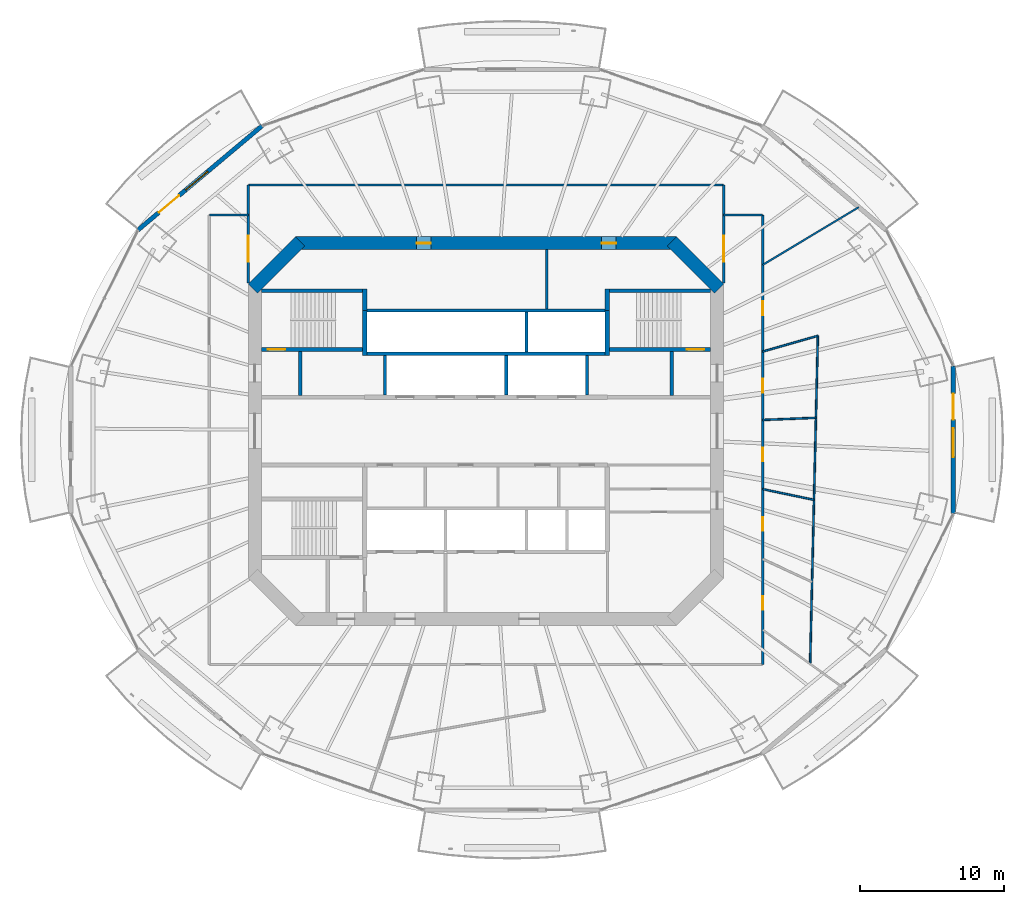
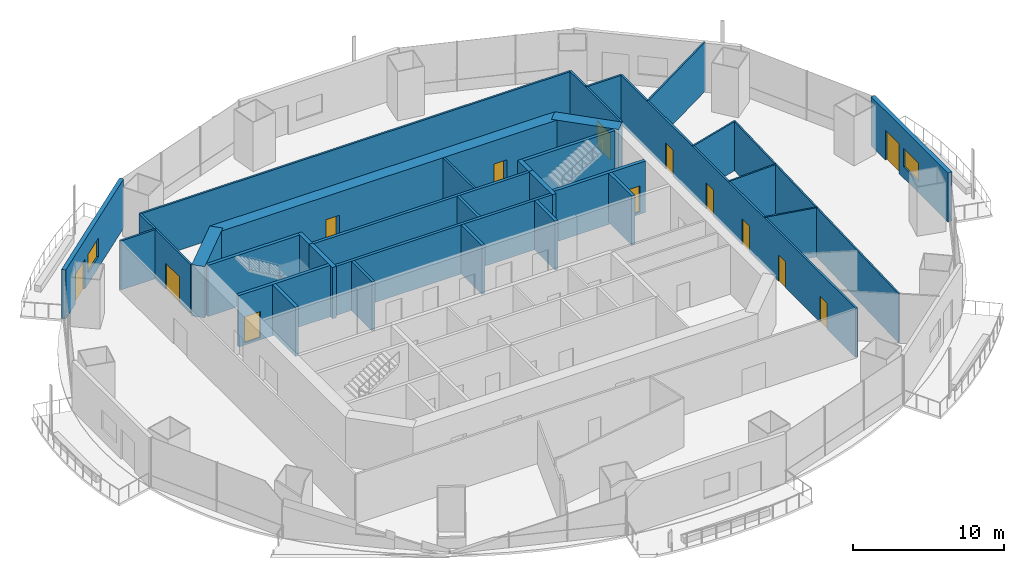
# One storey, part 13 of 20: 33 walls, 13 doors, 2 windows, 15 openings.
"""IFC4 building model written with IfcOpenShell, lengths in metres."""

import ifcopenshell
import ifcopenshell.guid

model = None  # the IFC model being written
_history = None  # IfcOwnerHistory: only IFC2X3 demands one
_inside = {}  # id of a spatial element -> (the spatial element, [elements in it])
_under = {}  # id of a project, library or spatial element -> (it, [spatial elements below it])
_declared = {}  # id of a project -> (the project, [libraries it declares])
_typed = {}  # id of a type object -> (the type object, [elements of that type])
_made_of = {}  # id of a material, layer set ... -> (it, [elements and type objects made of it])


def new_model(schema):
    """Start an empty IFC model of exactly this schema.

    Asked for "IFC4X3", IfcOpenShell would pick the latest addendum, in which some entities
    have other attributes; the version numbers below select the first issue.
    IFC2X3 requires an IfcOwnerHistory on every rooted entity: one is made here for all.
    """
    global model, _history
    if schema == "IFC4X3":
        model = ifcopenshell.file(schema_version=(4, 3, 0, 0))
    else:
        model = ifcopenshell.file(schema=schema)
    _inside.clear()
    _under.clear()
    _declared.clear()
    _typed.clear()
    _made_of.clear()
    _history = None
    if model.schema == "IFC2X3":
        org = make("IfcOrganization", Name="unknown")
        user = make(
            "IfcPersonAndOrganization",
            ThePerson=make("IfcPerson", FamilyName="unknown"),
            TheOrganization=org,
        )
        app = make(
            "IfcApplication",
            ApplicationDeveloper=org,
            Version="unknown",
            ApplicationFullName="unknown",
            ApplicationIdentifier="unknown",
        )
        _history = make(
            "IfcOwnerHistory",
            OwningUser=user,
            OwningApplication=app,
            ChangeAction="ADDED",
            CreationDate=0,
        )
    return model


def make(cls, **values):
    """One entity of the class cls with the attributes given. An attribute that is None is left unset."""
    return model.create_entity(
        cls, **{name: value for name, value in values.items() if value is not None}
    )


def rooted(cls, **values):
    """An entity with a GlobalId (a new one), such as an element, a storey or a relation."""
    return make(cls, GlobalId=ifcopenshell.guid.new(), OwnerHistory=_history, **values)


def si_unit(unit_type, name, prefix=None):
    """IfcSIUnit, for example si_unit("LENGTHUNIT", "METRE", prefix="MILLI")."""
    return make("IfcSIUnit", UnitType=unit_type, Prefix=prefix, Name=name)


def assignment(units):
    """IfcUnitAssignment: the units of a project."""
    return None if units is None else make("IfcUnitAssignment", Units=units)


def point(xyz):
    """IfcCartesianPoint."""
    return None if xyz is None else make("IfcCartesianPoint", Coordinates=xyz)


def direction(xyz):
    """IfcDirection."""
    return None if xyz is None else make("IfcDirection", DirectionRatios=xyz)


def frame(location, z_axis=None, x_axis=None):
    """IfcAxis2Placement3D, a coordinate frame: its origin and axes. An axis left out is left unset."""
    return make(
        "IfcAxis2Placement3D",
        Location=point(location),
        Axis=direction(z_axis),
        RefDirection=direction(x_axis),
    )


def frame_2d(location, x_axis=None):
    """IfcAxis2Placement2D, a coordinate frame in the plane: its origin and x axis."""
    return make(
        "IfcAxis2Placement2D", Location=point(location), RefDirection=direction(x_axis)
    )


def origin():
    """The frame at (0, 0, 0) with its axes left unset."""
    return frame((0.0, 0.0, 0.0))


def place(relative_to, where):
    """IfcLocalPlacement: puts the frame where relative to a parent placement (None: the world)."""
    return make(
        "IfcLocalPlacement", PlacementRelTo=relative_to, RelativePlacement=where
    )


def context(
    kind, dimensions, precision=None, world=None, true_north=None, identifier=None
):
    """IfcGeometricRepresentationContext, for example the 3D "Model" context."""
    return make(
        "IfcGeometricRepresentationContext",
        ContextIdentifier=identifier,
        ContextType=kind,
        CoordinateSpaceDimension=dimensions,
        Precision=precision,
        WorldCoordinateSystem=world,
        TrueNorth=true_north,
    )


def subcontext(parent, identifier, kind, view, scale=None):
    """IfcGeometricRepresentationSubContext, for example "Body" below "Model"."""
    return make(
        "IfcGeometricRepresentationSubContext",
        ContextIdentifier=identifier,
        ContextType=kind,
        ParentContext=parent,
        TargetScale=scale,
        TargetView=view,
    )


def project(units=None, contexts=None):
    """IfcProject with its units and contexts."""
    return rooted(
        "IfcProject",
        Name="project",
        RepresentationContexts=contexts,
        UnitsInContext=assignment(units),
    )


def spatial(cls, under=None, at=None, **own):
    """A site, building, storey or space (cls), placed at a placement, below another one or the project."""
    s = rooted(cls, ObjectPlacement=at, **own)
    if under is not None:
        _under.setdefault(under.id(), (under, []))[1].append(s)
    return s


def profile(cls, at=None, kind="AREA", **sizes):
    """A parametric profile (cls). Its sizes go by their IFC names, for example OverallWidth=200.0."""
    return make(cls, ProfileType=kind, Position=at, **sizes)


def rectangle(**sizes):
    """IfcRectangleProfileDef."""
    return profile("IfcRectangleProfileDef", **sizes)


def extrude(swept, where, along, depth):
    """IfcExtrudedAreaSolid: the profile swept, set in the frame where, extruded along a direction by depth."""
    return make(
        "IfcExtrudedAreaSolid",
        SweptArea=swept,
        Position=where,
        ExtrudedDirection=direction(along),
        Depth=depth,
    )


def shape(context_of_items, identifier, shape_type, items):
    """IfcShapeRepresentation: the items that make up one representation, for example the "Body"."""
    return make(
        "IfcShapeRepresentation",
        ContextOfItems=context_of_items,
        RepresentationIdentifier=identifier,
        RepresentationType=shape_type,
        Items=items,
    )


def material(Name=None, Category=None):
    """IfcMaterial."""
    return make("IfcMaterial", Name=Name, Category=Category)


def layer(
    of_material, thickness, ventilated=None, Name=None, Category=None, Priority=None
):
    """IfcMaterialLayer: one layer of a wall or slab, of a material (None: an air gap)."""
    return make(
        "IfcMaterialLayer",
        Material=of_material,
        LayerThickness=thickness,
        IsVentilated=ventilated,
        Name=Name,
        Category=Category,
        Priority=Priority,
    )


def layer_set(layers, Name=None):
    """IfcMaterialLayerSet."""
    return make("IfcMaterialLayerSet", MaterialLayers=layers, LayerSetName=Name)


def made_of(thing, what):
    """Note that an element or type object is made of a material, layer set ...; save() writes the relation."""
    if what is not None:
        _made_of.setdefault(what.id(), (what, []))[1].append(thing)
    return thing


def type_object(cls, material=None, **own):
    """A type object (cls), such as IfcWallType, which elements share."""
    return made_of(rooted(cls, **own), material)


def element(
    cls,
    number,
    at=None,
    inside=None,
    cuts=None,
    type_object=None,
    material=None,
    context=None,
    identifier="Body",
    shape_type=None,
    held_by="IfcProductDefinitionShape",
    body=None,
    shapes=None,
    **own,
):
    """One element of the class cls, such as IfcWall. Its Tag is "e" and its number.

    at: its placement. inside: the storey or other place that contains it. cuts: it is an
    opening in that element (IfcRelVoidsElement). A single representation is given by context,
    identifier, shape_type and body (its items); several are given by shapes. held_by: the class
    of the entity that holds the representations. save() writes the other relations.
    """
    e = rooted(cls, Tag="e%d" % number, ObjectPlacement=at, **own)
    if body is not None:
        shapes = [shape(context, identifier, shape_type, body)]
    if shapes is not None:
        e.Representation = make(held_by, Representations=shapes)
    if inside is not None:
        _inside.setdefault(inside.id(), (inside, []))[1].append(e)
    if cuts is not None:
        rooted(
            "IfcRelVoidsElement", RelatingBuildingElement=cuts, RelatedOpeningElement=e
        )
    if type_object is not None:
        _typed.setdefault(type_object.id(), (type_object, []))[1].append(e)
    return made_of(e, material)


def fill(opening, filler):
    """IfcRelFillsElement: the door or window that sits in an opening."""
    return rooted(
        "IfcRelFillsElement",
        RelatingOpeningElement=opening,
        RelatedBuildingElement=filler,
    )


def aggregate(whole, parts):
    """IfcRelAggregates: a whole, such as a stair, and the parts it consists of."""
    return rooted("IfcRelAggregates", RelatingObject=whole, RelatedObjects=parts)


def save(model, path):
    """Write the relations noted so far, then the file.

    IfcRelAggregates (storeys below a building ...), IfcRelContainedInSpatialStructure (elements
    in a storey), IfcRelDefinesByType, IfcRelAssociatesMaterial and IfcRelDeclares: one each for
    every whole, place, type object, material and project.
    """
    for whole, parts in _under.values():
        aggregate(whole, parts)
    for where, things in _inside.values():
        rooted(
            "IfcRelContainedInSpatialStructure",
            RelatedElements=things,
            RelatingStructure=where,
        )
    for kind, things in _typed.values():
        rooted("IfcRelDefinesByType", RelatedObjects=things, RelatingType=kind)
    for what, things in _made_of.values():
        rooted("IfcRelAssociatesMaterial", RelatedObjects=things, RelatingMaterial=what)
    for by, libraries in _declared.values():
        rooted("IfcRelDeclares", RelatingContext=by, RelatedDefinitions=libraries)
    model.write(path)


model = new_model("IFC4")

# Units and contexts
model_context = context("Model", 3, precision=1e-05, world=origin(), true_north=direction((0.0, 1.0)))
body_context = subcontext(model_context, "Body", "Model", "MODEL_VIEW")
ifc_project = project(units=[si_unit("LENGTHUNIT", "METRE"), si_unit("AREAUNIT", "SQUARE_METRE"), si_unit("VOLUMEUNIT", "CUBIC_METRE"), si_unit("PLANEANGLEUNIT", "RADIAN"), si_unit("MASSUNIT", "GRAM", prefix="KILO")], contexts=[model_context])

# Site, building, storey
site_placement = place(None, origin())
site = spatial("IfcSite", under=ifc_project, at=site_placement, CompositionType="ELEMENT")
building_placement = place(site_placement, origin())
building = spatial("IfcBuilding", under=site, at=building_placement, Name="Marenthal Gate Tower", CompositionType="ELEMENT")
storey_placement = place(building_placement, frame((0.0, 0.0, 219.14990234375)))
storey = spatial("IfcBuildingStorey", under=building, at=storey_placement, Name="L48", CompositionType="ELEMENT", Elevation=219.14990234375)

# Wall
ifc_material_1 = material(Name="Concrete 60 MPa", Category="concrete")
ifc_layer_1 = layer(ifc_material_1, 0.89990234375)
ifc_layer_set_1 = layer_set([ifc_layer_1], Name="Core shear wall 900")
wall_type_1 = type_object("IfcWallType", Name="Core shear wall 900", PredefinedType="SHEAR", material=ifc_layer_set_1)
wall_1_placement = place(storey_placement, frame((16.1318359375, 9.8681640625, -0.179931640625), z_axis=(0.0, 0.0, 1.0), x_axis=(-0.707106781187, 0.707106781187, 0.0)))
element("IfcWall", 1, at=wall_1_placement, inside=storey, type_object=wall_type_1, Name="Core wall 03", PredefinedType="SHEAR", context=body_context, shape_type="SweptSolid", body=[
    extrude(rectangle(XDim=4.615478515625, YDim=0.89990234375, at=frame_2d((2.3076171875, 0.0))), origin(), (0.0, 0.0, 1.0), 4.150146484375),
])

# Wall, openings, doors
wall_2_placement = place(storey_placement, frame((13.186279296875, 13.0, -0.179931640625), z_axis=(0.0, 0.0, 1.0), x_axis=(-1.0, 0.0, 0.0)))
wall_2 = element("IfcWall", 2, at=wall_2_placement, inside=storey, type_object=wall_type_1, Name="Core wall 04", PredefinedType="SHEAR", context=body_context, shape_type="SweptSolid", body=[
    extrude(rectangle(XDim=26.37255859375, YDim=0.89990234375, at=frame_2d((13.186279296875, 0.0))), origin(), (0.0, 0.0, 1.0), 4.150146484375),
])
opening_1_placement = place(wall_2_placement, frame((16.993408203125, 0.0, 0.179931640625)))
opening_1 = element("IfcOpeningElement", 3, at=opening_1_placement, cuts=wall_2, Name="Opening D005.05", PredefinedType="OPENING", context=body_context, shape_type="SweptSolid", body=[
    extrude(rectangle(XDim=1.0, YDim=2.10009765625, at=frame_2d((0.5, 1.050048828125))), frame((0.0, 0.4599609375, 0.0), z_axis=(0.0, -1.0, 0.0), x_axis=(1.0, 0.0, 0.0)), (0.0, 0.0, 1.0), 0.919921875),
])
opening_2_placement = place(wall_2_placement, frame((4.179443359375, 0.0, 0.179931640625)))
opening_2 = element("IfcOpeningElement", 4, at=opening_2_placement, cuts=wall_2, Name="Opening D005.06", PredefinedType="OPENING", context=body_context, shape_type="SweptSolid", body=[
    extrude(rectangle(XDim=1.0, YDim=2.10009765625, at=frame_2d((0.5, 1.050048828125))), frame((0.0, 0.4599609375, 0.0), z_axis=(0.0, -1.0, 0.0), x_axis=(1.0, 0.0, 0.0)), (0.0, 0.0, 1.0), 0.919921875),
])
ifc_material_2 = material(Name="Steel fire door", Category="steel")
door_type_1 = type_object("IfcDoorType", Name="Fire door FD 45 1000 x 2100", OperationType="NOTDEFINED", PredefinedType="DOOR", material=ifc_material_2)
door_1_placement = place(opening_1_placement, origin())
door_1 = element("IfcDoor", 5, at=door_1_placement, inside=storey, type_object=door_type_1, Name="Door D005.05", OperationType="SINGLE_SWING_RIGHT", OverallHeight=2.10009765625, OverallWidth=1.0, PredefinedType="DOOR", context=body_context, shape_type="SweptSolid", body=[
    extrude(rectangle(XDim=1.0, YDim=2.10009765625, at=frame_2d((0.5, 1.050048828125))), frame((0.0, 0.02490234375, 0.0), z_axis=(0.0, -1.0, 0.0), x_axis=(1.0, 0.0, 0.0)), (0.0, 0.0, 1.0), 0.050048828125),
])
fill(opening_1, door_1)
door_2_placement = place(opening_2_placement, origin())
door_2 = element("IfcDoor", 6, at=door_2_placement, inside=storey, type_object=door_type_1, Name="Door D005.06", OperationType="SINGLE_SWING_RIGHT", OverallHeight=2.10009765625, OverallWidth=1.0, PredefinedType="DOOR", context=body_context, shape_type="SweptSolid", body=[
    extrude(rectangle(XDim=1.0, YDim=2.10009765625, at=frame_2d((0.5, 1.050048828125))), frame((0.0, 0.02490234375, 0.0), z_axis=(0.0, -1.0, 0.0), x_axis=(1.0, 0.0, 0.0)), (0.0, 0.0, 1.0), 0.050048828125),
])
fill(opening_2, door_2)

# Walls
wall_3_placement = place(storey_placement, frame((-12.8681640625, 13.1318359375, -0.179931640625), z_axis=(0.0, 0.0, 1.0), x_axis=(-0.707106781187, -0.707106781187, 0.0)))
element("IfcWall", 7, at=wall_3_placement, inside=storey, type_object=wall_type_1, Name="Core wall 05", PredefinedType="SHEAR", context=body_context, shape_type="SweptSolid", body=[
    extrude(rectangle(XDim=4.615478515625, YDim=0.89990234375, at=frame_2d((2.3076171875, 0.0))), origin(), (0.0, 0.0, 1.0), 4.150146484375),
])
ifc_material_3 = material(Name="Concrete 50 MPa", Category="concrete")
ifc_layer_2 = layer(ifc_material_3, 0.300048828125)
ifc_layer_set_2 = layer_set([ifc_layer_2], Name="Hoistway shear wall 300")
wall_type_2 = type_object("IfcWallType", Name="Hoistway shear wall 300", PredefinedType="SHEAR", material=ifc_layer_set_2)
for number, where, z_axis, x_axis, name in (
    (8, (-8.39990234375, 5.239990234375, -0.179931640625), (0.0, 0.0, 1.0), (0.0, 1.0, 0.0), "Hoistway wall 32"),
    (9, (8.39990234375, 5.239990234375, -0.179931640625), (0.0, 0.0, 1.0), (0.0, 1.0, 0.0), "Hoistway wall 48"),
):
    element("IfcWall", number, at=place(storey_placement, frame(where, z_axis=z_axis, x_axis=x_axis)), inside=storey, type_object=wall_type_2, Name=name, PredefinedType="SHEAR", context=body_context, shape_type="SweptSolid", body=[
        extrude(rectangle(XDim=3.110107421875, YDim=0.300048828125, at=frame_2d((1.55517578125, 0.0))), origin(), (0.0, 0.0, 1.0), 4.150146484375),
    ])
ifc_material_4 = material(Name="Concrete 40 MPa", Category="concrete")
ifc_layer_3 = layer(ifc_material_4, 0.219970703125)
ifc_layer_set_3 = layer_set([ifc_layer_3], Name="Hoistway wall 220")
wall_type_3 = type_object("IfcWallType", Name="Hoistway wall 220", PredefinedType="STANDARD", material=ifc_layer_set_3)
for number, where, z_axis, x_axis, name in (
    (10, (-8.25, 5.35009765625, 0.0), (0.0, 0.0, 1.0), (1.0, 0.0, 0.0), "Hoistway wall 22"),
    (11, (-8.25, 8.35009765625, 0.0), (0.0, 0.0, 1.0), (1.0, 0.0, 0.0), "Hoistway wall 25"),
):
    element("IfcWall", number, at=place(storey_placement, frame(where, z_axis=z_axis, x_axis=x_axis)), inside=storey, type_object=wall_type_3, Name=name, PredefinedType="STANDARD", context=body_context, shape_type="SweptSolid", body=[
        extrude(rectangle(XDim=16.5, YDim=0.219970703125, at=frame_2d((8.25, 0.0))), origin(), (0.0, 0.0, 1.0), 3.97021484375),
    ])
for number, where, z_axis, x_axis, name in (
    (12, (-7.0, 2.5, 0.0), (0.0, 0.0, 1.0), (0.0, 1.0, 0.0), "Hoistway wall 34"),
    (13, (1.39990234375, 2.5, 0.0), (0.0, 0.0, 1.0), (0.0, 1.0, 0.0), "Hoistway wall 39"),
):
    element("IfcWall", number, at=place(storey_placement, frame(where, z_axis=z_axis, x_axis=x_axis)), inside=storey, type_object=wall_type_3, Name=name, PredefinedType="STANDARD", context=body_context, shape_type="SweptSolid", body=[
        extrude(rectangle(XDim=2.739990234375, YDim=0.219970703125, at=frame_2d((1.3701171875, 0.0))), origin(), (0.0, 0.0, 1.0), 3.97021484375),
    ])
wall_4_placement = place(storey_placement, frame((2.800048828125, 5.4599609375, 0.0), z_axis=(0.0, 0.0, 1.0), x_axis=(0.0, 1.0, 0.0)))
element("IfcWall", 14, at=wall_4_placement, inside=storey, type_object=wall_type_3, Name="Hoistway wall 41", PredefinedType="STANDARD", context=body_context, shape_type="SweptSolid", body=[
    extrude(rectangle(XDim=2.780029296875, YDim=0.219970703125, at=frame_2d((1.39013671875, 0.0))), origin(), (0.0, 0.0, 1.0), 3.97021484375),
])
wall_5_placement = place(storey_placement, frame((7.0, 2.5, 0.0), z_axis=(0.0, 0.0, 1.0), x_axis=(0.0, 1.0, 0.0)))
element("IfcWall", 15, at=wall_5_placement, inside=storey, type_object=wall_type_3, Name="Hoistway wall 45", PredefinedType="STANDARD", context=body_context, shape_type="SweptSolid", body=[
    extrude(rectangle(XDim=2.739990234375, YDim=0.219970703125, at=frame_2d((1.3701171875, 0.0))), origin(), (0.0, 0.0, 1.0), 3.97021484375),
])
ifc_material_5 = material(Name="Gypsum board on steel studs", Category="steel")
ifc_layer_4 = layer(ifc_material_5, 0.1201171875)
ifc_layer_set_4 = layer_set([ifc_layer_4], Name="Partition 120")
wall_type_4 = type_object("IfcWallType", Name="Partition 120", PredefinedType="PARTITIONING", material=ifc_layer_set_4)
wall_6_placement = place(storey_placement, frame((19.14990234375, 11.501220703125, 0.0), z_axis=(0.0, 0.0, 1.0), x_axis=(0.857259644741, 0.514884357404, 0.0)))
element("IfcWall", 16, at=wall_6_placement, inside=storey, type_object=wall_type_4, Name="Partition wall 62", PredefinedType="PARTITIONING", context=body_context, shape_type="SweptSolid", body=[
    extrude(rectangle(XDim=7.759765625, YDim=0.1201171875, at=frame_2d((3.8798828125, 0.0))), origin(), (0.0, 0.0, 1.0), 3.97021484375),
])
wall_7_placement = place(storey_placement, frame((22.431884765625, -16.11669921875, 0.0), z_axis=(0.0, 0.0, 1.0), x_axis=(0.023619180301, 0.999721028248, 0.0)))
element("IfcWall", 17, at=wall_7_placement, inside=storey, type_object=wall_type_4, Name="Partition wall 64", PredefinedType="PARTITIONING", context=body_context, shape_type="SweptSolid", body=[
    extrude(rectangle(XDim=22.7197265625, YDim=0.1201171875, at=frame_2d((11.35986328125, 0.0))), origin(), (0.0, 0.0, 1.0), 3.97021484375),
])
wall_8_placement = place(storey_placement, frame((22.7001953125, -4.760009765625, 0.0), z_axis=(0.0, 0.0, 1.0), x_axis=(-0.978705174883, 0.205270993219, 0.0)))
element("IfcWall", 18, at=wall_8_placement, inside=storey, type_object=wall_type_4, Name="Partition wall 66", PredefinedType="PARTITIONING", context=body_context, shape_type="SweptSolid", body=[
    extrude(rectangle(XDim=3.62744140625, YDim=0.1201171875, at=frame_2d((1.813720703125, 0.0))), origin(), (0.0, 0.0, 1.0), 3.97021484375),
])
wall_9_placement = place(storey_placement, frame((22.83447265625, 0.91845703125, 0.0), z_axis=(0.0, 0.0, 1.0), x_axis=(-0.999192156412, -0.040187492641, 0.0)))
element("IfcWall", 19, at=wall_9_placement, inside=storey, type_object=wall_type_4, Name="Partition wall 67", PredefinedType="PARTITIONING", context=body_context, shape_type="SweptSolid", body=[
    extrude(rectangle(XDim=3.6875, YDim=0.1201171875, at=frame_2d((1.84375, 0.0))), origin(), (0.0, 0.0, 1.0), 3.97021484375),
])
wall_10_placement = place(storey_placement, frame((22.968505859375, 6.5966796875, 0.0), z_axis=(0.0, 0.0, 1.0), x_axis=(-0.961147388984, -0.276035680028, 0.0)))
element("IfcWall", 20, at=wall_10_placement, inside=storey, type_object=wall_type_4, Name="Partition wall 68", PredefinedType="PARTITIONING", context=body_context, shape_type="SweptSolid", body=[
    extrude(rectangle(XDim=3.972900390625, YDim=0.1201171875, at=frame_2d((1.986328125, 0.0))), origin(), (0.0, 0.0, 1.0), 3.97021484375),
])
ifc_material_6 = material(Name="Gypsum board on steel studs", Category="steel")
ifc_layer_5 = layer(ifc_material_6, 0.14990234375)
ifc_layer_set_5 = layer_set([ifc_layer_5], Name="Partition 150")
wall_type_5 = type_object("IfcWallType", Name="Partition 150", PredefinedType="PARTITIONING", material=ifc_layer_set_5)
wall_11_placement = place(storey_placement, frame((4.199951171875, 8.4599609375, 0.0), z_axis=(0.0, 0.0, 1.0), x_axis=(0.0, 1.0, 0.0)))
element("IfcWall", 21, at=wall_11_placement, inside=storey, type_object=wall_type_5, Name="Partition wall 42", PredefinedType="PARTITIONING", context=body_context, shape_type="SweptSolid", body=[
    extrude(rectangle(XDim=4.090087890625, YDim=0.14990234375, at=frame_2d((2.044921875, 0.0))), origin(), (0.0, 0.0, 1.0), 3.97021484375),
])
wall_12_placement = place(storey_placement, frame((-19.14990234375, 14.964111328125, 0.0), z_axis=(0.0, 0.0, 1.0), x_axis=(1.0, 0.0, 0.0)))
element("IfcWall", 22, at=wall_12_placement, inside=storey, type_object=wall_type_5, Name="Partition wall 52", PredefinedType="PARTITIONING", context=body_context, shape_type="SweptSolid", body=[
    extrude(rectangle(XDim=2.699951171875, YDim=0.14990234375, at=frame_2d((1.35009765625, 0.0))), origin(), (0.0, 0.0, 1.0), 3.97021484375),
])

# Wall, opening, door
wall_13_placement = place(storey_placement, frame((-16.449951171875, 10.25, 0.0), z_axis=(0.0, 0.0, 1.0), x_axis=(0.0, 1.0, 0.0)))
wall_13 = element("IfcWall", 23, at=wall_13_placement, inside=storey, type_object=wall_type_5, Name="Partition wall 53", PredefinedType="PARTITIONING", context=body_context, shape_type="SweptSolid", body=[
    extrude(rectangle(XDim=6.77197265625, YDim=0.14990234375, at=frame_2d((3.385986328125, 0.0))), origin(), (0.0, 0.0, 1.0), 3.97021484375),
])
opening_3_placement = place(wall_13_placement, frame((1.45703125, 0.0, 0.0)))
opening_3 = element("IfcOpeningElement", 24, at=opening_3_placement, cuts=wall_13, Name="Opening D014.03", PredefinedType="OPENING", context=body_context, shape_type="SweptSolid", body=[
    extrude(rectangle(XDim=1.800048828125, YDim=2.10009765625, at=frame_2d((0.89990234375, 1.050048828125))), frame((0.0, 0.0849609375, 0.0), z_axis=(0.0, -1.0, 0.0), x_axis=(1.0, 0.0, 0.0)), (0.0, 0.0, 1.0), 0.169921875),
])
ifc_material_7 = material(Name="Timber door", Category="wood")
door_type_2 = type_object("IfcDoorType", Name="Double door 1800 x 2100", OperationType="DOUBLE_DOOR_SINGLE_SWING", PredefinedType="DOOR", material=ifc_material_7)
door_3_placement = place(opening_3_placement, origin())
door_3 = element("IfcDoor", 25, at=door_3_placement, inside=storey, type_object=door_type_2, Name="Door D014.03", OperationType="DOUBLE_DOOR_SINGLE_SWING", OverallHeight=2.10009765625, OverallWidth=1.800048828125, PredefinedType="DOOR", context=body_context, shape_type="SweptSolid", body=[
    extrude(rectangle(XDim=1.800048828125, YDim=2.10009765625, at=frame_2d((0.89990234375, 1.050048828125))), frame((0.0, 0.02490234375, 0.0), z_axis=(0.0, -1.0, 0.0), x_axis=(1.0, 0.0, 0.0)), (0.0, 0.0, 1.0), 0.050048828125),
])
fill(opening_3, door_3)

# Wall
wall_14_placement = place(storey_placement, frame((-16.449951171875, 17.02197265625, 0.0), z_axis=(0.0, 0.0, 1.0), x_axis=(1.0, 0.0, 0.0)))
element("IfcWall", 26, at=wall_14_placement, inside=storey, type_object=wall_type_5, Name="Partition wall 54", PredefinedType="PARTITIONING", context=body_context, shape_type="SweptSolid", body=[
    extrude(rectangle(XDim=32.89990234375, YDim=0.14990234375, at=frame_2d((16.449951171875, 0.0))), origin(), (0.0, 0.0, 1.0), 3.97021484375),
])

# Wall, opening, door
wall_15_placement = place(storey_placement, frame((16.449951171875, 10.25, 0.0), z_axis=(0.0, 0.0, 1.0), x_axis=(0.0, 1.0, 0.0)))
wall_15 = element("IfcWall", 27, at=wall_15_placement, inside=storey, type_object=wall_type_5, Name="Partition wall 58", PredefinedType="PARTITIONING", context=body_context, shape_type="SweptSolid", body=[
    extrude(rectangle(XDim=6.77197265625, YDim=0.14990234375, at=frame_2d((3.385986328125, 0.0))), origin(), (0.0, 0.0, 1.0), 3.97021484375),
])
opening_4_placement = place(wall_15_placement, frame((1.45703125, 0.0, 0.0)))
opening_4 = element("IfcOpeningElement", 28, at=opening_4_placement, cuts=wall_15, Name="Opening D014.04", PredefinedType="OPENING", context=body_context, shape_type="SweptSolid", body=[
    extrude(rectangle(XDim=1.800048828125, YDim=2.10009765625, at=frame_2d((0.89990234375, 1.050048828125))), frame((0.0, 0.0849609375, 0.0), z_axis=(0.0, -1.0, 0.0), x_axis=(1.0, 0.0, 0.0)), (0.0, 0.0, 1.0), 0.169921875),
])
door_4_placement = place(opening_4_placement, origin())
door_4 = element("IfcDoor", 29, at=door_4_placement, inside=storey, type_object=door_type_2, Name="Door D014.04", OperationType="DOUBLE_DOOR_SINGLE_SWING", OverallHeight=2.10009765625, OverallWidth=1.800048828125, PredefinedType="DOOR", context=body_context, shape_type="SweptSolid", body=[
    extrude(rectangle(XDim=1.800048828125, YDim=2.10009765625, at=frame_2d((0.89990234375, 1.050048828125))), frame((0.0, 0.02490234375, 0.0), z_axis=(0.0, -1.0, 0.0), x_axis=(1.0, 0.0, 0.0)), (0.0, 0.0, 1.0), 0.050048828125),
])
fill(opening_4, door_4)

# Wall
wall_16_placement = place(storey_placement, frame((16.449951171875, 14.964111328125, 0.0), z_axis=(0.0, 0.0, 1.0), x_axis=(1.0, 0.0, 0.0)))
element("IfcWall", 30, at=wall_16_placement, inside=storey, type_object=wall_type_5, Name="Partition wall 59", PredefinedType="PARTITIONING", context=body_context, shape_type="SweptSolid", body=[
    extrude(rectangle(XDim=2.699951171875, YDim=0.14990234375, at=frame_2d((1.35009765625, 0.0))), origin(), (0.0, 0.0, 1.0), 3.97021484375),
])

# Wall, openings, doors
wall_17_placement = place(storey_placement, frame((19.14990234375, 14.964111328125, 0.0), z_axis=(0.0, 0.0, 1.0), x_axis=(0.0, -1.0, 0.0)))
wall_17 = element("IfcWall", 31, at=wall_17_placement, inside=storey, type_object=wall_type_5, Name="Partition wall 63", PredefinedType="PARTITIONING", context=body_context, shape_type="SweptSolid", body=[
    extrude(rectangle(XDim=31.114013671875, YDim=0.14990234375, at=frame_2d((15.55712890625, 0.0))), origin(), (0.0, 0.0, 1.0), 3.97021484375),
])
opening_5_placement = place(wall_17_placement, frame((26.39306640625, 0.0, 0.0)))
opening_5 = element("IfcOpeningElement", 32, at=opening_5_placement, cuts=wall_17, Name="Opening D016.02", PredefinedType="OPENING", context=body_context, shape_type="SweptSolid", body=[
    extrude(rectangle(XDim=0.949951171875, YDim=2.10009765625, at=frame_2d((0.47509765625, 1.050048828125))), frame((0.0, 0.0849609375, 0.0), z_axis=(0.0, -1.0, 0.0), x_axis=(1.0, 0.0, 0.0)), (0.0, 0.0, 1.0), 0.169921875),
])
opening_6_placement = place(wall_17_placement, frame((20.926025390625, 0.0, 0.0)))
opening_6 = element("IfcOpeningElement", 33, at=opening_6_placement, cuts=wall_17, Name="Opening D016.03", PredefinedType="OPENING", context=body_context, shape_type="SweptSolid", body=[
    extrude(rectangle(XDim=0.949951171875, YDim=2.10009765625, at=frame_2d((0.47509765625, 1.050048828125))), frame((0.0, 0.0849609375, 0.0), z_axis=(0.0, -1.0, 0.0), x_axis=(1.0, 0.0, 0.0)), (0.0, 0.0, 1.0), 0.169921875),
])
opening_7_placement = place(wall_17_placement, frame((16.112060546875, 0.0, 0.0)))
opening_7 = element("IfcOpeningElement", 34, at=opening_7_placement, cuts=wall_17, Name="Opening D016.04", PredefinedType="OPENING", context=body_context, shape_type="SweptSolid", body=[
    extrude(rectangle(XDim=0.949951171875, YDim=2.10009765625, at=frame_2d((0.47509765625, 1.050048828125))), frame((0.0, 0.0849609375, 0.0), z_axis=(0.0, -1.0, 0.0), x_axis=(1.0, 0.0, 0.0)), (0.0, 0.0, 1.0), 0.169921875),
])
opening_8_placement = place(wall_17_placement, frame((11.35400390625, 0.0, 0.0)))
opening_8 = element("IfcOpeningElement", 35, at=opening_8_placement, cuts=wall_17, Name="Opening D016.05", PredefinedType="OPENING", context=body_context, shape_type="SweptSolid", body=[
    extrude(rectangle(XDim=0.949951171875, YDim=2.10009765625, at=frame_2d((0.47509765625, 1.050048828125))), frame((0.0, 0.0849609375, 0.0), z_axis=(0.0, -1.0, 0.0), x_axis=(1.0, 0.0, 0.0)), (0.0, 0.0, 1.0), 0.169921875),
])
opening_9_placement = place(wall_17_placement, frame((5.989013671875, 0.0, 0.0)))
opening_9 = element("IfcOpeningElement", 36, at=opening_9_placement, cuts=wall_17, Name="Opening D016.06", PredefinedType="OPENING", context=body_context, shape_type="SweptSolid", body=[
    extrude(rectangle(XDim=0.949951171875, YDim=2.10009765625, at=frame_2d((0.47509765625, 1.050048828125))), frame((0.0, 0.0849609375, 0.0), z_axis=(0.0, -1.0, 0.0), x_axis=(1.0, 0.0, 0.0)), (0.0, 0.0, 1.0), 0.169921875),
])
ifc_material_8 = material(Name="Timber door", Category="wood")
door_type_3 = type_object("IfcDoorType", Name="Door 950 x 2100", OperationType="NOTDEFINED", PredefinedType="DOOR", material=ifc_material_8)
door_5_placement = place(opening_5_placement, origin())
door_5 = element("IfcDoor", 37, at=door_5_placement, inside=storey, type_object=door_type_3, Name="Door D016.02", OperationType="SINGLE_SWING_RIGHT", OverallHeight=2.10009765625, OverallWidth=0.949951171875, PredefinedType="DOOR", context=body_context, shape_type="SweptSolid", body=[
    extrude(rectangle(XDim=0.949951171875, YDim=2.10009765625, at=frame_2d((0.47509765625, 1.050048828125))), frame((0.0, 0.02490234375, 0.0), z_axis=(0.0, -1.0, 0.0), x_axis=(1.0, 0.0, 0.0)), (0.0, 0.0, 1.0), 0.050048828125),
])
fill(opening_5, door_5)
door_6_placement = place(opening_6_placement, origin())
door_6 = element("IfcDoor", 38, at=door_6_placement, inside=storey, type_object=door_type_3, Name="Door D016.03", OperationType="SINGLE_SWING_RIGHT", OverallHeight=2.10009765625, OverallWidth=0.949951171875, PredefinedType="DOOR", context=body_context, shape_type="SweptSolid", body=[
    extrude(rectangle(XDim=0.949951171875, YDim=2.10009765625, at=frame_2d((0.47509765625, 1.050048828125))), frame((0.0, 0.02490234375, 0.0), z_axis=(0.0, -1.0, 0.0), x_axis=(1.0, 0.0, 0.0)), (0.0, 0.0, 1.0), 0.050048828125),
])
fill(opening_6, door_6)
door_7_placement = place(opening_7_placement, origin())
door_7 = element("IfcDoor", 39, at=door_7_placement, inside=storey, type_object=door_type_3, Name="Door D016.04", OperationType="SINGLE_SWING_RIGHT", OverallHeight=2.10009765625, OverallWidth=0.949951171875, PredefinedType="DOOR", context=body_context, shape_type="SweptSolid", body=[
    extrude(rectangle(XDim=0.949951171875, YDim=2.10009765625, at=frame_2d((0.47509765625, 1.050048828125))), frame((0.0, 0.02490234375, 0.0), z_axis=(0.0, -1.0, 0.0), x_axis=(1.0, 0.0, 0.0)), (0.0, 0.0, 1.0), 0.050048828125),
])
fill(opening_7, door_7)
door_8_placement = place(opening_8_placement, origin())
door_8 = element("IfcDoor", 40, at=door_8_placement, inside=storey, type_object=door_type_3, Name="Door D016.05", OperationType="SINGLE_SWING_RIGHT", OverallHeight=2.10009765625, OverallWidth=0.949951171875, PredefinedType="DOOR", context=body_context, shape_type="SweptSolid", body=[
    extrude(rectangle(XDim=0.949951171875, YDim=2.10009765625, at=frame_2d((0.47509765625, 1.050048828125))), frame((0.0, 0.02490234375, 0.0), z_axis=(0.0, -1.0, 0.0), x_axis=(1.0, 0.0, 0.0)), (0.0, 0.0, 1.0), 0.050048828125),
])
fill(opening_8, door_8)
door_9_placement = place(opening_9_placement, origin())
door_9 = element("IfcDoor", 41, at=door_9_placement, inside=storey, type_object=door_type_3, Name="Door D016.06", OperationType="SINGLE_SWING_RIGHT", OverallHeight=2.10009765625, OverallWidth=0.949951171875, PredefinedType="DOOR", context=body_context, shape_type="SweptSolid", body=[
    extrude(rectangle(XDim=0.949951171875, YDim=2.10009765625, at=frame_2d((0.47509765625, 1.050048828125))), frame((0.0, 0.02490234375, 0.0), z_axis=(0.0, -1.0, 0.0), x_axis=(1.0, 0.0, 0.0)), (0.0, 0.0, 1.0), 0.050048828125),
])
fill(opening_9, door_9)

# Walls
ifc_material_9 = material(Name="Concrete 40 MPa", Category="concrete")
ifc_layer_6 = layer(ifc_material_9, 0.25)
ifc_layer_set_6 = layer_set([ifc_layer_6], Name="Stair enclosure wall 250")
wall_type_6 = type_object("IfcWallType", Name="Stair enclosure wall 250", PredefinedType="STANDARD", material=ifc_layer_set_6)
for number, where, z_axis, x_axis, name in (
    (42, (-12.85009765625, 2.47509765625, 0.0), (0.0, 0.0, 1.0), (0.0, 1.0, 0.0), "Stair wall 28"),
    (43, (12.85009765625, 2.47509765625, 0.0), (0.0, 0.0, 1.0), (0.0, 1.0, 0.0), "Stair wall 50"),
):
    element("IfcWall", number, at=place(storey_placement, frame(where, z_axis=z_axis, x_axis=x_axis)), inside=storey, type_object=wall_type_6, Name=name, PredefinedType="STANDARD", context=body_context, shape_type="SweptSolid", body=[
        extrude(rectangle(XDim=3.0498046875, YDim=0.25, at=frame_2d((1.52490234375, 0.0))), origin(), (0.0, 0.0, 1.0), 3.97021484375),
    ])

# Wall, opening, door
ifc_material_10 = material(Name="Concrete 50 MPa", Category="concrete")
ifc_layer_7 = layer(ifc_material_10, 0.25)
ifc_layer_set_7 = layer_set([ifc_layer_7], Name="Stair shear wall 250")
wall_type_7 = type_object("IfcWallType", Name="Stair shear wall 250", PredefinedType="SHEAR", material=ifc_layer_set_7)
wall_18_placement = place(storey_placement, frame((-15.550048828125, 5.64990234375, -0.179931640625), z_axis=(0.0, 0.0, 1.0), x_axis=(1.0, 0.0, 0.0)))
wall_18 = element("IfcWall", 44, at=wall_18_placement, inside=storey, type_object=wall_type_7, Name="Stair wall 23", PredefinedType="SHEAR", context=body_context, shape_type="SweptSolid", body=[
    extrude(rectangle(XDim=7.0, YDim=0.25, at=frame_2d((3.5, 0.0))), origin(), (0.0, 0.0, 1.0), 4.150146484375),
])
opening_10_placement = place(wall_18_placement, frame((0.449951171875, 0.0, 0.179931640625)))
opening_10 = element("IfcOpeningElement", 45, at=opening_10_placement, cuts=wall_18, Name="Opening D001.01", PredefinedType="OPENING", context=body_context, shape_type="SweptSolid", body=[
    extrude(rectangle(XDim=1.199951171875, YDim=2.10009765625, at=frame_2d((0.60009765625, 1.050048828125))), frame((0.0, 0.135009765625, 0.0), z_axis=(0.0, -1.0, 0.0), x_axis=(1.0, 0.0, 0.0)), (0.0, 0.0, 1.0), 0.27001953125),
])
ifc_material_11 = material(Name="Steel fire door", Category="steel")
door_type_4 = type_object("IfcDoorType", Name="Fire door FD 90 1200 x 2100", OperationType="NOTDEFINED", PredefinedType="DOOR", material=ifc_material_11)
door_10_placement = place(opening_10_placement, origin())
door_10 = element("IfcDoor", 46, at=door_10_placement, inside=storey, type_object=door_type_4, Name="Door D001.01", OperationType="SINGLE_SWING_RIGHT", OverallHeight=2.10009765625, OverallWidth=1.199951171875, PredefinedType="DOOR", context=body_context, shape_type="SweptSolid", body=[
    extrude(rectangle(XDim=1.199951171875, YDim=2.10009765625, at=frame_2d((0.60009765625, 1.050048828125))), frame((0.0, 0.02490234375, 0.0), z_axis=(0.0, -1.0, 0.0), x_axis=(1.0, 0.0, 0.0)), (0.0, 0.0, 1.0), 0.050048828125),
])
fill(opening_10, door_10)

wall_19_placement = place(storey_placement, frame((8.550048828125, 5.64990234375, -0.179931640625), z_axis=(0.0, 0.0, 1.0), x_axis=(1.0, 0.0, 0.0)))
wall_19 = element("IfcWall", 47, at=wall_19_placement, inside=storey, type_object=wall_type_7, Name="Stair wall 24", PredefinedType="SHEAR", context=body_context, shape_type="SweptSolid", body=[
    extrude(rectangle(XDim=7.0, YDim=0.25, at=frame_2d((3.5, 0.0))), origin(), (0.0, 0.0, 1.0), 4.150146484375),
])
opening_11_placement = place(wall_19_placement, frame((5.35009765625, 0.0, 0.179931640625)))
opening_11 = element("IfcOpeningElement", 48, at=opening_11_placement, cuts=wall_19, Name="Opening D001.02", PredefinedType="OPENING", context=body_context, shape_type="SweptSolid", body=[
    extrude(rectangle(XDim=1.199951171875, YDim=2.10009765625, at=frame_2d((0.60009765625, 1.050048828125))), frame((0.0, 0.135009765625, 0.0), z_axis=(0.0, -1.0, 0.0), x_axis=(1.0, 0.0, 0.0)), (0.0, 0.0, 1.0), 0.27001953125),
])
door_11_placement = place(opening_11_placement, origin())
door_11 = element("IfcDoor", 49, at=door_11_placement, inside=storey, type_object=door_type_4, Name="Door D001.02", OperationType="SINGLE_SWING_RIGHT", OverallHeight=2.10009765625, OverallWidth=1.199951171875, PredefinedType="DOOR", context=body_context, shape_type="SweptSolid", body=[
    extrude(rectangle(XDim=1.199951171875, YDim=2.10009765625, at=frame_2d((0.60009765625, 1.050048828125))), frame((0.0, 0.02490234375, 0.0), z_axis=(0.0, -1.0, 0.0), x_axis=(1.0, 0.0, 0.0)), (0.0, 0.0, 1.0), 0.050048828125),
])
fill(opening_11, door_11)

# Walls
for number, where, z_axis, x_axis, name in (
    (50, (-15.550048828125, 9.699951171875, -0.179931640625), (0.0, 0.0, 1.0), (1.0, 0.0, 0.0), "Stair wall 26"),
    (51, (8.550048828125, 9.699951171875, -0.179931640625), (0.0, 0.0, 1.0), (1.0, 0.0, 0.0), "Stair wall 27"),
):
    element("IfcWall", number, at=place(storey_placement, frame(where, z_axis=z_axis, x_axis=x_axis)), inside=storey, type_object=wall_type_7, Name=name, PredefinedType="SHEAR", context=body_context, shape_type="SweptSolid", body=[
        extrude(rectangle(XDim=7.0, YDim=0.25, at=frame_2d((3.5, 0.0))), origin(), (0.0, 0.0, 1.0), 4.150146484375),
    ])
ifc_material_12 = material(Name="Concrete 50 MPa", Category="concrete")
ifc_layer_8 = layer(ifc_material_12, 0.300048828125)
ifc_layer_set_8 = layer_set([ifc_layer_8], Name="Stair shear wall 300")
wall_type_8 = type_object("IfcWallType", Name="Stair shear wall 300", PredefinedType="SHEAR", material=ifc_layer_set_8)
for number, where, z_axis, x_axis, name in (
    (52, (-8.39990234375, 8.35009765625, -0.179931640625), (0.0, 0.0, 1.0), (0.0, 1.0, 0.0), "Stair wall 33"),
    (53, (8.39990234375, 8.35009765625, -0.179931640625), (0.0, 0.0, 1.0), (0.0, 1.0, 0.0), "Stair wall 49"),
):
    element("IfcWall", number, at=place(storey_placement, frame(where, z_axis=z_axis, x_axis=x_axis)), inside=storey, type_object=wall_type_8, Name=name, PredefinedType="SHEAR", context=body_context, shape_type="SweptSolid", body=[
        extrude(rectangle(XDim=1.474853515625, YDim=0.300048828125, at=frame_2d((0.7373046875, 0.0))), origin(), (0.0, 0.0, 1.0), 4.150146484375),
    ])

# Wall, openings, door, window
ifc_material_13 = material(Name="Terracotta cladding on insulated concrete-block backing", Category="masonry")
ifc_layer_9 = layer(ifc_material_13, 0.300048828125)
ifc_layer_set_9 = layer_set([ifc_layer_9], Name="Terracotta facade wall 300")
wall_type_9 = type_object("IfcWallType", Name="Terracotta facade wall 300", PredefinedType="SOLIDWALL", material=ifc_layer_set_9)
wall_20_placement = place(storey_placement, frame((-15.494873046875, 21.126220703125, 0.0), z_axis=(0.0, 0.0, 1.0), x_axis=(-0.76593385613, -0.642919379109, 0.0)))
wall_20 = element("IfcWall", 54, at=wall_20_placement, inside=storey, type_object=wall_type_9, Name="Terracotta facade wall L48 bay 6", PredefinedType="SOLIDWALL", context=body_context, shape_type="SweptSolid", body=[
    extrude(rectangle(XDim=11.21337890625, YDim=0.300048828125, at=frame_2d((5.606689453125, 0.0))), origin(), (0.0, 0.0, 1.0), 3.97021484375),
])
opening_12_placement = place(wall_20_placement, frame((7.51318359375, 0.0, 0.0)))
opening_12 = element("IfcOpeningElement", 55, at=opening_12_placement, cuts=wall_20, Name="Opening BD-L48-06", PredefinedType="OPENING", context=body_context, shape_type="SweptSolid", body=[
    extrude(rectangle(XDim=1.800048828125, YDim=2.39990234375, at=frame_2d((0.89990234375, 1.199951171875))), frame((0.0, 0.16015625, 0.0), z_axis=(0.0, -1.0, 0.0), x_axis=(1.0, 0.0, 0.0)), (0.0, 0.0, 1.0), 0.320068359375),
])
opening_13_placement = place(wall_20_placement, frame((4.913330078125, 0.0, 0.89990234375)))
opening_13 = element("IfcOpeningElement", 56, at=opening_13_placement, cuts=wall_20, Name="Opening WN2-L48-06", PredefinedType="OPENING", context=body_context, shape_type="SweptSolid", body=[
    extrude(rectangle(XDim=2.0, YDim=1.5, at=frame_2d((1.0, 0.75))), frame((0.0, 0.16015625, 0.0), z_axis=(0.0, -1.0, 0.0), x_axis=(1.0, 0.0, 0.0)), (0.0, 0.0, 1.0), 0.320068359375),
])
ifc_material_14 = material(Name="Aluminium and glass", Category="aluminium")
door_type_5 = type_object("IfcDoorType", Name="Balcony door 1800x2400", OperationType="DOUBLE_DOOR_SINGLE_SWING", PredefinedType="DOOR", material=ifc_material_14)
door_12_placement = place(opening_12_placement, origin())
door_12 = element("IfcDoor", 57, at=door_12_placement, inside=storey, type_object=door_type_5, Name="Balcony door L48 bay 6", OperationType="SINGLE_SWING_LEFT", OverallHeight=2.39990234375, OverallWidth=1.800048828125, PredefinedType="DOOR", context=body_context, shape_type="SweptSolid", body=[
    extrude(rectangle(XDim=1.800048828125, YDim=2.39990234375, at=frame_2d((0.89990234375, 1.199951171875))), frame((0.0, 0.02490234375, 0.0), z_axis=(0.0, -1.0, 0.0), x_axis=(1.0, 0.0, 0.0)), (0.0, 0.0, 1.0), 0.050048828125),
])
fill(opening_12, door_12)
ifc_material_15 = material(Name="Aluminium and glass", Category="aluminium")
window_type = type_object("IfcWindowType", Name="Window 2000x1500", PartitioningType="DOUBLE_PANEL_VERTICAL", PredefinedType="WINDOW", material=ifc_material_15)
window_1_placement = place(opening_13_placement, origin())
window_1 = element("IfcWindow", 58, at=window_1_placement, inside=storey, type_object=window_type, Name="Window L48 bay 6", OverallHeight=1.5, OverallWidth=2.0, PartitioningType="SINGLE_PANEL", PredefinedType="WINDOW", context=body_context, shape_type="SweptSolid", body=[
    extrude(rectangle(XDim=2.0, YDim=1.5, at=frame_2d((1.0, 0.75))), frame((0.0, 0.030029296875, 0.0), z_axis=(0.0, -1.0, 0.0), x_axis=(1.0, 0.0, 0.0)), (0.0, 0.0, 1.0), 0.06005859375),
])
fill(opening_13, window_1)

wall_21_placement = place(storey_placement, frame((32.331787109375, -5.69775390625, 0.0), z_axis=(0.0, 0.0, 1.0), x_axis=(0.0, 1.0, 0.0)))
wall_21 = element("IfcWall", 59, at=wall_21_placement, inside=storey, type_object=wall_type_9, Name="Terracotta facade wall L48 bay 16", PredefinedType="SOLIDWALL", context=body_context, shape_type="SweptSolid", body=[
    extrude(rectangle(XDim=10.195556640625, YDim=0.300048828125, at=frame_2d((5.09765625, 0.0))), origin(), (0.0, 0.0, 1.0), 3.97021484375),
])
opening_14_placement = place(wall_21_placement, frame((6.495361328125, 0.0, 0.0)))
opening_14 = element("IfcOpeningElement", 60, at=opening_14_placement, cuts=wall_21, Name="Opening BD-L48-16", PredefinedType="OPENING", context=body_context, shape_type="SweptSolid", body=[
    extrude(rectangle(XDim=1.800048828125, YDim=2.39990234375, at=frame_2d((0.89990234375, 1.199951171875))), frame((0.0, 0.16015625, 0.0), z_axis=(0.0, -1.0, 0.0), x_axis=(1.0, 0.0, 0.0)), (0.0, 0.0, 1.0), 0.320068359375),
])
opening_15_placement = place(wall_21_placement, frame((3.8955078125, 0.0, 0.89990234375)))
opening_15 = element("IfcOpeningElement", 61, at=opening_15_placement, cuts=wall_21, Name="Opening WN2-L48-16", PredefinedType="OPENING", context=body_context, shape_type="SweptSolid", body=[
    extrude(rectangle(XDim=2.0, YDim=1.5, at=frame_2d((1.0, 0.75))), frame((0.0, 0.16015625, 0.0), z_axis=(0.0, -1.0, 0.0), x_axis=(1.0, 0.0, 0.0)), (0.0, 0.0, 1.0), 0.320068359375),
])
door_13_placement = place(opening_14_placement, origin())
door_13 = element("IfcDoor", 62, at=door_13_placement, inside=storey, type_object=door_type_5, Name="Balcony door L48 bay 16", OperationType="SINGLE_SWING_LEFT", OverallHeight=2.39990234375, OverallWidth=1.800048828125, PredefinedType="DOOR", context=body_context, shape_type="SweptSolid", body=[
    extrude(rectangle(XDim=1.800048828125, YDim=2.39990234375, at=frame_2d((0.89990234375, 1.199951171875))), frame((0.0, 0.02490234375, 0.0), z_axis=(0.0, -1.0, 0.0), x_axis=(1.0, 0.0, 0.0)), (0.0, 0.0, 1.0), 0.050048828125),
])
fill(opening_14, door_13)
window_2_placement = place(opening_15_placement, origin())
window_2 = element("IfcWindow", 63, at=window_2_placement, inside=storey, type_object=window_type, Name="Window L48 bay 16", OverallHeight=1.5, OverallWidth=2.0, PartitioningType="SINGLE_PANEL", PredefinedType="WINDOW", context=body_context, shape_type="SweptSolid", body=[
    extrude(rectangle(XDim=2.0, YDim=1.5, at=frame_2d((1.0, 0.75))), frame((0.0, 0.030029296875, 0.0), z_axis=(0.0, -1.0, 0.0), x_axis=(1.0, 0.0, 0.0)), (0.0, 0.0, 1.0), 0.06005859375),
])
fill(opening_15, window_2)

save(model, "model.ifc")
